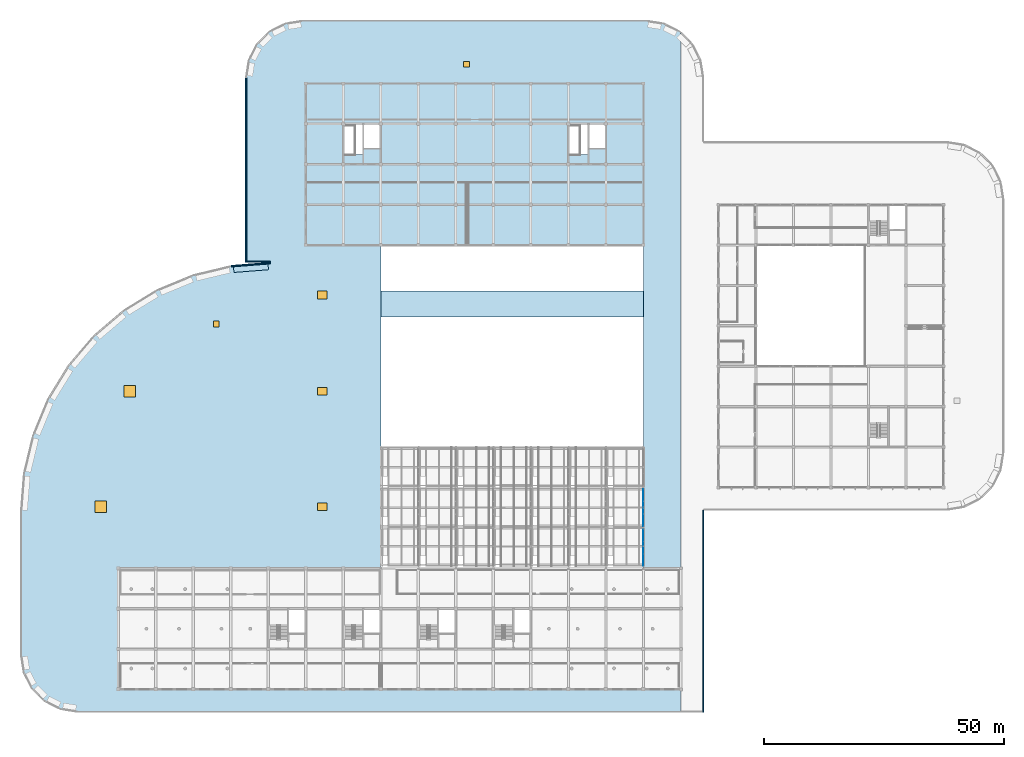
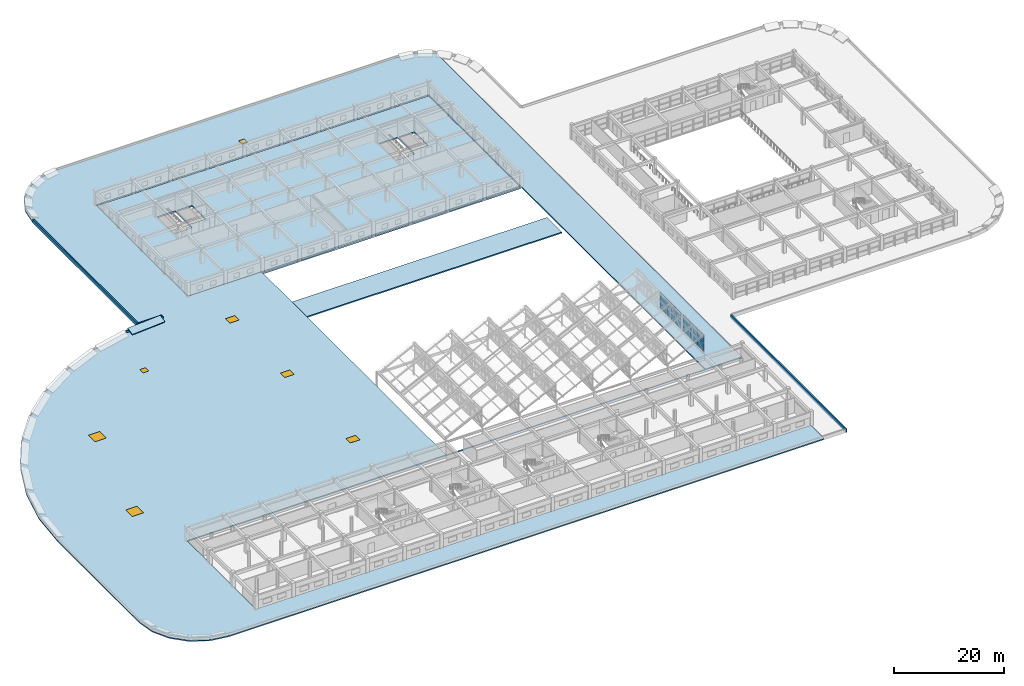
# One storey, part 78 of 101: 16 plates, 7 windows, 4 slabs, 7 openings, 2 elements without a shape of their own.
"""IFC4 building model written with IfcOpenShell, lengths in metres."""

import ifcopenshell
import ifcopenshell.guid

model = None  # the IFC model being written
_history = None  # IfcOwnerHistory: only IFC2X3 demands one
_inside = {}  # id of a spatial element -> (the spatial element, [elements in it])
_under = {}  # id of a project, library or spatial element -> (it, [spatial elements below it])
_declared = {}  # id of a project -> (the project, [libraries it declares])
_typed = {}  # id of a type object -> (the type object, [elements of that type])
_made_of = {}  # id of a material, layer set ... -> (it, [elements and type objects made of it])


def new_model(schema):
    """Start an empty IFC model of exactly this schema.

    Asked for "IFC4X3", IfcOpenShell would pick the latest addendum, in which some entities
    have other attributes; the version numbers below select the first issue.
    IFC2X3 requires an IfcOwnerHistory on every rooted entity: one is made here for all.
    """
    global model, _history
    if schema == "IFC4X3":
        model = ifcopenshell.file(schema_version=(4, 3, 0, 0))
    else:
        model = ifcopenshell.file(schema=schema)
    _inside.clear()
    _under.clear()
    _declared.clear()
    _typed.clear()
    _made_of.clear()
    _history = None
    if model.schema == "IFC2X3":
        org = make("IfcOrganization", Name="unknown")
        user = make(
            "IfcPersonAndOrganization",
            ThePerson=make("IfcPerson", FamilyName="unknown"),
            TheOrganization=org,
        )
        app = make(
            "IfcApplication",
            ApplicationDeveloper=org,
            Version="unknown",
            ApplicationFullName="unknown",
            ApplicationIdentifier="unknown",
        )
        _history = make(
            "IfcOwnerHistory",
            OwningUser=user,
            OwningApplication=app,
            ChangeAction="ADDED",
            CreationDate=0,
        )
    return model


def make(cls, **values):
    """One entity of the class cls with the attributes given. An attribute that is None is left unset."""
    return model.create_entity(
        cls, **{name: value for name, value in values.items() if value is not None}
    )


def rooted(cls, **values):
    """An entity with a GlobalId (a new one), such as an element, a storey or a relation."""
    return make(cls, GlobalId=ifcopenshell.guid.new(), OwnerHistory=_history, **values)


def si_unit(unit_type, name, prefix=None):
    """IfcSIUnit, for example si_unit("LENGTHUNIT", "METRE", prefix="MILLI")."""
    return make("IfcSIUnit", UnitType=unit_type, Prefix=prefix, Name=name)


def assignment(units):
    """IfcUnitAssignment: the units of a project."""
    return None if units is None else make("IfcUnitAssignment", Units=units)


def point(xyz):
    """IfcCartesianPoint."""
    return None if xyz is None else make("IfcCartesianPoint", Coordinates=xyz)


def direction(xyz):
    """IfcDirection."""
    return None if xyz is None else make("IfcDirection", DirectionRatios=xyz)


def frame(location, z_axis=None, x_axis=None):
    """IfcAxis2Placement3D, a coordinate frame: its origin and axes. An axis left out is left unset."""
    return make(
        "IfcAxis2Placement3D",
        Location=point(location),
        Axis=direction(z_axis),
        RefDirection=direction(x_axis),
    )


def frame_2d(location, x_axis=None):
    """IfcAxis2Placement2D, a coordinate frame in the plane: its origin and x axis."""
    return make(
        "IfcAxis2Placement2D", Location=point(location), RefDirection=direction(x_axis)
    )


def origin():
    """The frame at (0, 0, 0) with its axes left unset."""
    return frame((0.0, 0.0, 0.0))


def origin_2d():
    """The frame at (0, 0) in the plane with its x axis left unset."""
    return frame_2d((0.0, 0.0))


def place(relative_to, where):
    """IfcLocalPlacement: puts the frame where relative to a parent placement (None: the world)."""
    return make(
        "IfcLocalPlacement", PlacementRelTo=relative_to, RelativePlacement=where
    )


def context(
    kind, dimensions, precision=None, world=None, true_north=None, identifier=None
):
    """IfcGeometricRepresentationContext, for example the 3D "Model" context."""
    return make(
        "IfcGeometricRepresentationContext",
        ContextIdentifier=identifier,
        ContextType=kind,
        CoordinateSpaceDimension=dimensions,
        Precision=precision,
        WorldCoordinateSystem=world,
        TrueNorth=true_north,
    )


def subcontext(parent, identifier, kind, view, scale=None):
    """IfcGeometricRepresentationSubContext, for example "Body" below "Model"."""
    return make(
        "IfcGeometricRepresentationSubContext",
        ContextIdentifier=identifier,
        ContextType=kind,
        ParentContext=parent,
        TargetScale=scale,
        TargetView=view,
    )


def project(units=None, contexts=None):
    """IfcProject with its units and contexts."""
    return rooted(
        "IfcProject",
        Name="project",
        RepresentationContexts=contexts,
        UnitsInContext=assignment(units),
    )


def spatial(cls, under=None, at=None, **own):
    """A site, building, storey or space (cls), placed at a placement, below another one or the project."""
    s = rooted(cls, ObjectPlacement=at, **own)
    if under is not None:
        _under.setdefault(under.id(), (under, []))[1].append(s)
    return s


def polyline(points):
    """IfcPolyline through the points."""
    return make("IfcPolyline", Points=[point(p) for p in points])


def profile(cls, at=None, kind="AREA", **sizes):
    """A parametric profile (cls). Its sizes go by their IFC names, for example OverallWidth=200.0."""
    return make(cls, ProfileType=kind, Position=at, **sizes)


def rectangle(**sizes):
    """IfcRectangleProfileDef."""
    return profile("IfcRectangleProfileDef", **sizes)


def outline(outer, holes=None, kind="AREA"):
    """IfcArbitraryClosedProfileDef: a profile drawn as a closed curve; with holes, ...WithVoids."""
    if holes is None:
        return make("IfcArbitraryClosedProfileDef", ProfileType=kind, OuterCurve=outer)
    return make(
        "IfcArbitraryProfileDefWithVoids",
        ProfileType=kind,
        OuterCurve=outer,
        InnerCurves=holes,
    )


def extrude(swept, where, along, depth):
    """IfcExtrudedAreaSolid: the profile swept, set in the frame where, extruded along a direction by depth."""
    return make(
        "IfcExtrudedAreaSolid",
        SweptArea=swept,
        Position=where,
        ExtrudedDirection=direction(along),
        Depth=depth,
    )


def shape(context_of_items, identifier, shape_type, items):
    """IfcShapeRepresentation: the items that make up one representation, for example the "Body"."""
    return make(
        "IfcShapeRepresentation",
        ContextOfItems=context_of_items,
        RepresentationIdentifier=identifier,
        RepresentationType=shape_type,
        Items=items,
    )


def material(Name=None, Category=None):
    """IfcMaterial."""
    return make("IfcMaterial", Name=Name, Category=Category)


def layer(
    of_material, thickness, ventilated=None, Name=None, Category=None, Priority=None
):
    """IfcMaterialLayer: one layer of a wall or slab, of a material (None: an air gap)."""
    return make(
        "IfcMaterialLayer",
        Material=of_material,
        LayerThickness=thickness,
        IsVentilated=ventilated,
        Name=Name,
        Category=Category,
        Priority=Priority,
    )


def layer_set(layers, Name=None):
    """IfcMaterialLayerSet."""
    return make("IfcMaterialLayerSet", MaterialLayers=layers, LayerSetName=Name)


def made_of(thing, what):
    """Note that an element or type object is made of a material, layer set ...; save() writes the relation."""
    if what is not None:
        _made_of.setdefault(what.id(), (what, []))[1].append(thing)
    return thing


def type_object(cls, material=None, **own):
    """A type object (cls), such as IfcWallType, which elements share."""
    return made_of(rooted(cls, **own), material)


def element(
    cls,
    number,
    at=None,
    inside=None,
    cuts=None,
    type_object=None,
    material=None,
    context=None,
    identifier="Body",
    shape_type=None,
    held_by="IfcProductDefinitionShape",
    body=None,
    shapes=None,
    **own,
):
    """One element of the class cls, such as IfcWall. Its Tag is "e" and its number.

    at: its placement. inside: the storey or other place that contains it. cuts: it is an
    opening in that element (IfcRelVoidsElement). A single representation is given by context,
    identifier, shape_type and body (its items); several are given by shapes. held_by: the class
    of the entity that holds the representations. save() writes the other relations.
    """
    e = rooted(cls, Tag="e%d" % number, ObjectPlacement=at, **own)
    if body is not None:
        shapes = [shape(context, identifier, shape_type, body)]
    if shapes is not None:
        e.Representation = make(held_by, Representations=shapes)
    if inside is not None:
        _inside.setdefault(inside.id(), (inside, []))[1].append(e)
    if cuts is not None:
        rooted(
            "IfcRelVoidsElement", RelatingBuildingElement=cuts, RelatedOpeningElement=e
        )
    if type_object is not None:
        _typed.setdefault(type_object.id(), (type_object, []))[1].append(e)
    return made_of(e, material)


def fill(opening, filler):
    """IfcRelFillsElement: the door or window that sits in an opening."""
    return rooted(
        "IfcRelFillsElement",
        RelatingOpeningElement=opening,
        RelatedBuildingElement=filler,
    )


def aggregate(whole, parts):
    """IfcRelAggregates: a whole, such as a stair, and the parts it consists of."""
    return rooted("IfcRelAggregates", RelatingObject=whole, RelatedObjects=parts)


def save(model, path):
    """Write the relations noted so far, then the file.

    IfcRelAggregates (storeys below a building ...), IfcRelContainedInSpatialStructure (elements
    in a storey), IfcRelDefinesByType, IfcRelAssociatesMaterial and IfcRelDeclares: one each for
    every whole, place, type object, material and project.
    """
    for whole, parts in _under.values():
        aggregate(whole, parts)
    for where, things in _inside.values():
        rooted(
            "IfcRelContainedInSpatialStructure",
            RelatedElements=things,
            RelatingStructure=where,
        )
    for kind, things in _typed.values():
        rooted("IfcRelDefinesByType", RelatedObjects=things, RelatingType=kind)
    for what, things in _made_of.values():
        rooted("IfcRelAssociatesMaterial", RelatedObjects=things, RelatingMaterial=what)
    for by, libraries in _declared.values():
        rooted("IfcRelDeclares", RelatingContext=by, RelatedDefinitions=libraries)
    model.write(path)


model = new_model("IFC4")

# Units and contexts
model_context = context("Model", 3, precision=1e-05, world=origin(), true_north=direction((0.0, 1.0)))
body_context = subcontext(model_context, "Body", "Model", "MODEL_VIEW")
ifc_project = project(units=[si_unit("LENGTHUNIT", "METRE"), si_unit("AREAUNIT", "SQUARE_METRE"), si_unit("VOLUMEUNIT", "CUBIC_METRE"), si_unit("PLANEANGLEUNIT", "RADIAN"), si_unit("MASSUNIT", "GRAM", prefix="KILO")], contexts=[model_context])

# Site, building, storey
site_placement = place(None, origin())
site = spatial("IfcSite", under=ifc_project, at=site_placement, CompositionType="ELEMENT")
building_placement = place(site_placement, origin())
building = spatial("IfcBuilding", under=site, at=building_placement, Name="Zizhar Promenade General Hospital", CompositionType="ELEMENT")
storey_placement = place(building_placement, frame((0.0, 0.0, 14.39990234375)))
storey = spatial("IfcBuildingStorey", under=building, at=storey_placement, Name="L03", CompositionType="ELEMENT", Elevation=14.39990234375)

# Curtain wall, plates
ifc_material_1 = material(Name="Anodised aluminium 6063-T6 and low-E glass", Category="aluminium")
ifc_layer_1 = layer(ifc_material_1, 0.159912109375)
ifc_layer_set_1 = layer_set([ifc_layer_1], Name="Anodised aluminium 6063-T6 and low-E glass")
curtain_wall_type_1 = type_object("IfcCurtainWallType", Name="CW-SAW-NL1", PredefinedType="NOTDEFINED", material=ifc_layer_set_1)
curtain_wall_1_placement = place(storey_placement, origin())
curtain_wall_1 = element("IfcCurtainWall", 1, at=curtain_wall_1_placement, inside=storey, type_object=curtain_wall_type_1, Name="Sawtooth Clerestory Light B7-S1", PredefinedType="NOTDEFINED")
ifc_material_2 = material(Name="Low-E solar-control glass", Category="glass")
ifc_layer_2 = layer(ifc_material_2, 0.028076171875)
ifc_layer_set_2 = layer_set([ifc_layer_2], Name="Low-E solar-control glass")
plate_type_1 = type_object("IfcPlateType", Name="CWP-GLZ-28", PredefinedType="CURTAIN_PANEL", material=ifc_layer_set_2)
plate_1_placement = place(storey_placement, frame((124.800048828125, 26.8984375, 3.91015625), z_axis=(0.0, 0.0, 1.0), x_axis=(0.0, 1.0, 0.0)))
plate_1 = element("IfcPlate", 2, at=plate_1_placement, type_object=plate_type_1, Name="CW-03 panel 1.1", PredefinedType="CURTAIN_PANEL", context=body_context, shape_type="SweptSolid", body=[
    extrude(rectangle(XDim=2.4765625, YDim=0.028076171875, at=origin_2d()), origin(), (0.0, 0.0, 1.0), 1.760009765625),
])
plate_2_placement = place(storey_placement, frame((124.800048828125, 26.8984375, 5.72998046875), z_axis=(0.0, 0.0, 1.0), x_axis=(0.0, 1.0, 0.0)))
plate_2 = element("IfcPlate", 3, at=plate_2_placement, type_object=plate_type_1, Name="CW-03 panel 1.2", PredefinedType="CURTAIN_PANEL", context=body_context, shape_type="SweptSolid", body=[
    extrude(rectangle(XDim=2.4765625, YDim=0.028076171875, at=origin_2d()), origin(), (0.0, 0.0, 1.0), 1.760009765625),
])
plate_3_placement = place(storey_placement, frame((124.800048828125, 29.449951171875, 3.91015625), z_axis=(0.0, 0.0, 1.0), x_axis=(0.0, 1.0, 0.0)))
plate_3 = element("IfcPlate", 4, at=plate_3_placement, type_object=plate_type_1, Name="CW-03 panel 2.1", PredefinedType="CURTAIN_PANEL", context=body_context, shape_type="SweptSolid", body=[
    extrude(rectangle(XDim=2.506591796875, YDim=0.028076171875, at=origin_2d()), origin(), (0.0, 0.0, 1.0), 1.760009765625),
])
plate_4_placement = place(storey_placement, frame((124.800048828125, 29.449951171875, 5.72998046875), z_axis=(0.0, 0.0, 1.0), x_axis=(0.0, 1.0, 0.0)))
plate_4 = element("IfcPlate", 5, at=plate_4_placement, type_object=plate_type_1, Name="CW-03 panel 2.2", PredefinedType="CURTAIN_PANEL", context=body_context, shape_type="SweptSolid", body=[
    extrude(rectangle(XDim=2.506591796875, YDim=0.028076171875, at=origin_2d()), origin(), (0.0, 0.0, 1.0), 1.760009765625),
])
plate_5_placement = place(storey_placement, frame((124.800048828125, 32.001708984375, 3.91015625), z_axis=(0.0, 0.0, 1.0), x_axis=(0.0, 1.0, 0.0)))
plate_5 = element("IfcPlate", 6, at=plate_5_placement, type_object=plate_type_1, Name="CW-03 panel 3.1", PredefinedType="CURTAIN_PANEL", context=body_context, shape_type="SweptSolid", body=[
    extrude(rectangle(XDim=2.4765625, YDim=0.028076171875, at=origin_2d()), origin(), (0.0, 0.0, 1.0), 1.760009765625),
])
plate_6_placement = place(storey_placement, frame((124.800048828125, 32.001708984375, 5.72998046875), z_axis=(0.0, 0.0, 1.0), x_axis=(0.0, 1.0, 0.0)))
plate_6 = element("IfcPlate", 7, at=plate_6_placement, type_object=plate_type_1, Name="CW-03 panel 3.2", PredefinedType="CURTAIN_PANEL", context=body_context, shape_type="SweptSolid", body=[
    extrude(rectangle(XDim=2.4765625, YDim=0.028076171875, at=origin_2d()), origin(), (0.0, 0.0, 1.0), 1.760009765625),
])
aggregate(curtain_wall_1, [plate_1, plate_2, plate_3, plate_4, plate_5, plate_6])

ifc_material_3 = material(Name="Anodised aluminium 6063-T6 and low-E glass", Category="aluminium")
ifc_layer_3 = layer(ifc_material_3, 0.159912109375)
ifc_layer_set_3 = layer_set([ifc_layer_3], Name="Anodised aluminium 6063-T6 and low-E glass")
curtain_wall_type_2 = type_object("IfcCurtainWallType", Name="CW-SAW-NL2", PredefinedType="NOTDEFINED", material=ifc_layer_set_3)
curtain_wall_2_placement = place(storey_placement, origin())
curtain_wall_2 = element("IfcCurtainWall", 8, at=curtain_wall_2_placement, inside=storey, type_object=curtain_wall_type_2, Name="Sawtooth Clerestory Light B7-S2", PredefinedType="NOTDEFINED")
plate_7_placement = place(storey_placement, frame((124.800048828125, 35.215087890625, 3.91015625), z_axis=(0.0, 0.0, 1.0), x_axis=(0.0, 1.0, 0.0)))
plate_7 = element("IfcPlate", 9, at=plate_7_placement, type_object=plate_type_1, Name="CW-04 panel 1.1", PredefinedType="CURTAIN_PANEL", context=body_context, shape_type="SweptSolid", body=[
    extrude(rectangle(XDim=2.510009765625, YDim=0.028076171875, at=origin_2d()), origin(), (0.0, 0.0, 1.0), 1.760009765625),
])
plate_8_placement = place(storey_placement, frame((124.800048828125, 35.215087890625, 5.72998046875), z_axis=(0.0, 0.0, 1.0), x_axis=(0.0, 1.0, 0.0)))
plate_8 = element("IfcPlate", 10, at=plate_8_placement, type_object=plate_type_1, Name="CW-04 panel 1.2", PredefinedType="CURTAIN_PANEL", context=body_context, shape_type="SweptSolid", body=[
    extrude(rectangle(XDim=2.510009765625, YDim=0.028076171875, at=origin_2d()), origin(), (0.0, 0.0, 1.0), 1.760009765625),
])
plate_9_placement = place(storey_placement, frame((124.800048828125, 37.800048828125, 3.91015625), z_axis=(0.0, 0.0, 1.0), x_axis=(0.0, 1.0, 0.0)))
plate_9 = element("IfcPlate", 11, at=plate_9_placement, type_object=plate_type_1, Name="CW-04 panel 2.1", PredefinedType="CURTAIN_PANEL", context=body_context, shape_type="SweptSolid", body=[
    extrude(rectangle(XDim=2.5400390625, YDim=0.028076171875, at=origin_2d()), origin(), (0.0, 0.0, 1.0), 1.760009765625),
])
plate_10_placement = place(storey_placement, frame((124.800048828125, 37.800048828125, 5.72998046875), z_axis=(0.0, 0.0, 1.0), x_axis=(0.0, 1.0, 0.0)))
plate_10 = element("IfcPlate", 12, at=plate_10_placement, type_object=plate_type_1, Name="CW-04 panel 2.2", PredefinedType="CURTAIN_PANEL", context=body_context, shape_type="SweptSolid", body=[
    extrude(rectangle(XDim=2.5400390625, YDim=0.028076171875, at=origin_2d()), origin(), (0.0, 0.0, 1.0), 1.760009765625),
])
plate_11_placement = place(storey_placement, frame((124.800048828125, 40.385009765625, 3.91015625), z_axis=(0.0, 0.0, 1.0), x_axis=(0.0, 1.0, 0.0)))
plate_11 = element("IfcPlate", 13, at=plate_11_placement, type_object=plate_type_1, Name="CW-04 panel 3.1", PredefinedType="CURTAIN_PANEL", context=body_context, shape_type="SweptSolid", body=[
    extrude(rectangle(XDim=2.510009765625, YDim=0.028076171875, at=origin_2d()), origin(), (0.0, 0.0, 1.0), 1.760009765625),
])
plate_12_placement = place(storey_placement, frame((124.800048828125, 40.385009765625, 5.72998046875), z_axis=(0.0, 0.0, 1.0), x_axis=(0.0, 1.0, 0.0)))
plate_12 = element("IfcPlate", 14, at=plate_12_placement, type_object=plate_type_1, Name="CW-04 panel 3.2", PredefinedType="CURTAIN_PANEL", context=body_context, shape_type="SweptSolid", body=[
    extrude(rectangle(XDim=2.510009765625, YDim=0.028076171875, at=origin_2d()), origin(), (0.0, 0.0, 1.0), 1.760009765625),
])
aggregate(curtain_wall_2, [plate_7, plate_8, plate_9, plate_10, plate_11, plate_12])

# Plates
ifc_material_4 = material(Name="Precast concrete C40/50", Category="concrete")
ifc_layer_4 = layer(ifc_material_4, 0.260009765625)
ifc_layer_set_4 = layer_set([ifc_layer_4], Name="Precast concrete C40/50")
plate_type_2 = type_object("IfcPlateType", Name="PL-PC-BAND950", PredefinedType="USERDEFINED", material=ifc_layer_set_4)
plate_13_placement = place(storey_placement, frame((0.0, 0.0, -0.0498046875)))
element("IfcPlate", 15, at=plate_13_placement, inside=storey, type_object=plate_type_2, Name="Three-Arm Base Roof Upturned Edge Fascia 07", ObjectType="FASCIA_BAND", PredefinedType="USERDEFINED", context=body_context, shape_type="SweptSolid", body=[
    extrude(outline(polyline([(137.39990234375, -4.800048828125), (137.39990234375, 37.199951171875), (137.1201171875, 37.199951171875), (137.1201171875, -4.800048828125), (137.39990234375, -4.800048828125)])), origin(), (0.0, 0.0, 1.0), 0.7998046875),
])
plate_14_placement = place(storey_placement, frame((0.0, 0.0, -0.0498046875)))
element("IfcPlate", 16, at=plate_14_placement, inside=storey, type_object=plate_type_2, Name="Three-Arm Base Roof Upturned Edge Fascia 33", ObjectType="FASCIA_BAND", PredefinedType="USERDEFINED", context=body_context, shape_type="SweptSolid", body=[
    extrude(outline(polyline([(42.0, 127.199951171875), (42.0, 88.800048828125), (42.280029296875, 88.800048828125), (42.280029296875, 127.199951171875), (42.0, 127.199951171875)])), origin(), (0.0, 0.0, 1.0), 0.7998046875),
])
plate_15_placement = place(storey_placement, frame((0.0, 0.0, -0.0498046875)))
element("IfcPlate", 17, at=plate_15_placement, inside=storey, type_object=plate_type_2, Name="Three-Arm Base Roof Upturned Edge Fascia 34", ObjectType="FASCIA_BAND", PredefinedType="USERDEFINED", context=body_context, shape_type="SweptSolid", body=[
    extrude(outline(polyline([(42.0, 88.800048828125), (47.199951171875, 88.800048828125), (47.199951171875, 89.080078125), (42.0, 89.080078125), (42.0, 88.800048828125)])), origin(), (0.0, 0.0, 1.0), 0.7998046875),
])
plate_16_placement = place(storey_placement, frame((0.0, 0.0, -0.0498046875)))
element("IfcPlate", 18, at=plate_16_placement, inside=storey, type_object=plate_type_2, Name="Three-Arm Base Roof Upturned Edge Fascia 35", ObjectType="FASCIA_BAND", PredefinedType="USERDEFINED", context=body_context, shape_type="SweptSolid", body=[
    extrude(outline(polyline([(47.199951171875, 88.800048828125), (39.0654296875, 88.159912109375), (39.08740234375, 87.880615234375), (47.221923828125, 88.52099609375), (47.199951171875, 88.800048828125)])), origin(), (0.0, 0.0, 1.0), 0.7998046875),
])

# Slabs
ifc_material_5 = material(Name="Concrete C35/45", Category="concrete")
ifc_layer_5 = layer(ifc_material_5, 0.320068359375)
ifc_layer_set_5 = layer_set([ifc_layer_5], Name="Concrete C35/45")
slab_type_1 = type_object("IfcSlabType", Name="SLB-FLR-320", PredefinedType="FLOOR", material=ifc_layer_set_5)
slab_1_placement = place(storey_placement, frame((0.0, 0.0, -0.31982421875)))
element("IfcSlab", 19, at=slab_1_placement, inside=storey, type_object=slab_type_1, Name="Level L03 Surgical Interstitial Floor Slab", PredefinedType="FLOOR", context=body_context, shape_type="SweptSolid", body=[
    extrude(outline(polyline([(54.60009765625, 92.39990234375), (124.800048828125, 92.39990234375), (124.800048828125, 126.0), (54.60009765625, 126.0), (54.60009765625, 92.39990234375)]), holes=[polyline([(62.580078125, 111.22998046875), (62.580078125, 117.419921875), (66.47998046875, 117.419921875), (66.47998046875, 111.22998046875), (62.580078125, 111.22998046875)]), polyline([(66.75, 112.419921875), (66.75, 117.3798828125), (69.97998046875, 117.3798828125), (69.97998046875, 112.419921875), (66.75, 112.419921875)]), polyline([(109.3798828125, 111.22998046875), (109.3798828125, 117.419921875), (113.280029296875, 117.419921875), (113.280029296875, 111.22998046875), (109.3798828125, 111.22998046875)]), polyline([(113.550048828125, 112.419921875), (113.550048828125, 117.3798828125), (116.780029296875, 117.3798828125), (116.780029296875, 112.419921875), (113.550048828125, 112.419921875)])]), origin(), (0.0, 0.0, 1.0), 0.31982421875),
])
ifc_material_6 = material(Name="Concrete C35/45", Category="concrete")
ifc_layer_6 = layer(ifc_material_6, 0.260009765625)
ifc_layer_set_6 = layer_set([ifc_layer_6], Name="Concrete C35/45")
slab_type_2 = type_object("IfcSlabType", Name="SLB-ROOF-260", PredefinedType="ROOF", material=ifc_layer_set_6)
slab_2_placement = place(storey_placement, frame((0.0, 0.0, -1.159912109375)))
element("IfcSlab", 20, at=slab_2_placement, inside=storey, type_object=slab_type_2, Name="Courtyard Surgical-Clinic Skybridge Level L02 Roof Slab", PredefinedType="ROOF", context=body_context, shape_type="SweptSolid", body=[
    extrude(outline(polyline([(70.199951171875, 77.39990234375), (124.800048828125, 77.39990234375), (124.800048828125, 82.800048828125), (70.199951171875, 82.800048828125), (70.199951171875, 77.39990234375)])), origin(), (0.0, 0.0, 1.0), 0.260009765625),
])

# Slab, openings, windows
slab_3_placement = place(storey_placement, origin())
slab_3 = element("IfcSlab", 21, at=slab_3_placement, inside=storey, type_object=slab_type_2, Name="West and North Arms Overhanging Rounded Roof Plate", PredefinedType="ROOF", context=body_context, shape_type="SweptSolid", body=[
    extrude(outline(polyline([(7.199951171875, -4.800048828125), (3.491943359375, -4.212890625), (0.14697265625, -2.508056640625), (-2.508056640625, 0.14697265625), (-4.212890625, 3.491943359375), (-4.800048828125, 7.199951171875), (-4.800048828125, 36.800048828125), (-4.159912109375, 44.93505859375), (-2.2548828125, 52.868896484375), (0.867919921875, 60.406982421875), (5.131103515625, 67.364990234375), (10.429931640625, 73.570068359375), (16.635009765625, 78.868896484375), (23.593017578125, 83.132080078125), (31.131103515625, 86.2548828125), (39.06494140625, 88.159912109375), (47.199951171875, 88.800048828125), (42.0, 88.800048828125), (42.0, 127.199951171875), (42.5869140625, 130.907958984375), (44.2919921875, 134.2529296875), (46.947021484375, 136.907958984375), (50.2919921875, 138.613037109375), (54.0, 139.199951171875), (125.39990234375, 139.199951171875), (129.10791015625, 138.613037109375), (132.452880859375, 136.907958984375), (132.550048828125, 136.81201171875), (132.550048828125, 25.14990234375), (15.64990234375, 25.14990234375), (15.64990234375, 0.050048828125), (132.550048828125, 0.050048828125), (132.550048828125, -4.800048828125), (7.199951171875, -4.800048828125)]), holes=[polyline([(124.800048828125, 25.199951171875), (124.800048828125, 92.39990234375), (70.199951171875, 92.39990234375), (70.199951171875, 25.199951171875), (124.800048828125, 25.199951171875)]), polyline([(124.75, 92.449951171875), (124.75, 125.949951171875), (54.64990234375, 125.949951171875), (54.64990234375, 92.449951171875), (124.75, 92.449951171875)])]), origin(), (0.0, 0.0, 1.0), 0.260009765625),
])
opening_1_placement = place(slab_3_placement, frame((12.0, 38.0, 0.0)))
opening_1 = element("IfcOpeningElement", 22, at=opening_1_placement, cuts=slab_3, Name="Opening SK-01", PredefinedType="OPENING", context=body_context, shape_type="SweptSolid", body=[
    extrude(rectangle(XDim=2.39990234375, YDim=2.39990234375, at=origin_2d()), origin(), (0.0, 0.0, 1.0), 0.260009765625),
])
opening_2_placement = place(slab_3_placement, frame((18.0, 62.0, 0.0)))
opening_2 = element("IfcOpeningElement", 23, at=opening_2_placement, cuts=slab_3, Name="Opening SK-01", PredefinedType="OPENING", context=body_context, shape_type="SweptSolid", body=[
    extrude(rectangle(XDim=2.39990234375, YDim=2.39990234375, at=origin_2d()), origin(), (0.0, 0.0, 1.0), 0.260009765625),
])
opening_3_placement = place(slab_3_placement, frame((36.0, 76.0, 0.0)))
opening_3 = element("IfcOpeningElement", 24, at=opening_3_placement, cuts=slab_3, Name="Opening SK-03", PredefinedType="OPENING", context=body_context, shape_type="SweptSolid", body=[
    extrude(rectangle(XDim=1.199951171875, YDim=1.199951171875, at=origin_2d()), origin(), (0.0, 0.0, 1.0), 0.260009765625),
])
opening_4_placement = place(slab_3_placement, frame((58.0, 38.0, 0.0)))
opening_4 = element("IfcOpeningElement", 25, at=opening_4_placement, cuts=slab_3, Name="Opening SK-02", PredefinedType="OPENING", context=body_context, shape_type="SweptSolid", body=[
    extrude(rectangle(XDim=2.0, YDim=1.60009765625, at=origin_2d()), origin(), (0.0, 0.0, 1.0), 0.260009765625),
])
opening_5_placement = place(slab_3_placement, frame((58.0, 62.0, 0.0)))
opening_5 = element("IfcOpeningElement", 26, at=opening_5_placement, cuts=slab_3, Name="Opening SK-02", PredefinedType="OPENING", context=body_context, shape_type="SweptSolid", body=[
    extrude(rectangle(XDim=2.0, YDim=1.60009765625, at=origin_2d()), origin(), (0.0, 0.0, 1.0), 0.260009765625),
])
opening_6_placement = place(slab_3_placement, frame((58.0, 82.0, 0.0)))
opening_6 = element("IfcOpeningElement", 27, at=opening_6_placement, cuts=slab_3, Name="Opening SK-02", PredefinedType="OPENING", context=body_context, shape_type="SweptSolid", body=[
    extrude(rectangle(XDim=2.0, YDim=1.60009765625, at=origin_2d()), origin(), (0.0, 0.0, 1.0), 0.260009765625),
])
opening_7_placement = place(slab_3_placement, frame((88.0, 130.0, 0.0)))
opening_7 = element("IfcOpeningElement", 28, at=opening_7_placement, cuts=slab_3, Name="Opening SK-03", PredefinedType="OPENING", context=body_context, shape_type="SweptSolid", body=[
    extrude(rectangle(XDim=1.199951171875, YDim=1.199951171875, at=origin_2d()), origin(), (0.0, 0.0, 1.0), 0.260009765625),
])
ifc_material_7 = material(Name="Anodised aluminium 6063-T6 and low-E glass", Category="aluminium")
window_type_1 = type_object("IfcWindowType", Name="SKY-HATCH-120x120", PartitioningType="SINGLE_PANEL", PredefinedType="SKYLIGHT", material=ifc_material_7)
window_1_placement = place(opening_3_placement, frame((0.0, 0.0, 0.2099609375)))
window_1 = element("IfcWindow", 29, at=window_1_placement, inside=storey, type_object=window_type_1, Name="Roof Smoke Vent and Access Skylight 3", OverallHeight=1.199951171875, OverallWidth=1.199951171875, PartitioningType="SINGLE_PANEL", PredefinedType="SKYLIGHT", context=body_context, shape_type="SweptSolid", body=[
    extrude(rectangle(XDim=1.199951171875, YDim=1.199951171875, at=origin_2d()), origin(), (0.0, 0.0, 1.0), 0.050048828125),
])
fill(opening_3, window_1)
window_2_placement = place(opening_7_placement, frame((0.0, 0.0, 0.2099609375)))
window_2 = element("IfcWindow", 30, at=window_2_placement, inside=storey, type_object=window_type_1, Name="Roof Smoke Vent and Access Skylight 7", OverallHeight=1.199951171875, OverallWidth=1.199951171875, PartitioningType="SINGLE_PANEL", PredefinedType="SKYLIGHT", context=body_context, shape_type="SweptSolid", body=[
    extrude(rectangle(XDim=1.199951171875, YDim=1.199951171875, at=origin_2d()), origin(), (0.0, 0.0, 1.0), 0.050048828125),
])
fill(opening_7, window_2)
ifc_material_8 = material(Name="Anodised aluminium 6063-T6 and low-E glass", Category="aluminium")
window_type_2 = type_object("IfcWindowType", Name="SKY-VENT-200x160", PartitioningType="SINGLE_PANEL", PredefinedType="SKYLIGHT", material=ifc_material_8)
window_3_placement = place(opening_4_placement, frame((0.0, 0.0, 0.2099609375)))
window_3 = element("IfcWindow", 31, at=window_3_placement, inside=storey, type_object=window_type_2, Name="Roof Smoke Vent and Access Skylight 4", OverallHeight=1.60009765625, OverallWidth=2.0, PartitioningType="SINGLE_PANEL", PredefinedType="SKYLIGHT", context=body_context, shape_type="SweptSolid", body=[
    extrude(rectangle(XDim=2.0, YDim=1.60009765625, at=origin_2d()), origin(), (0.0, 0.0, 1.0), 0.050048828125),
])
fill(opening_4, window_3)
window_4_placement = place(opening_5_placement, frame((0.0, 0.0, 0.2099609375)))
window_4 = element("IfcWindow", 32, at=window_4_placement, inside=storey, type_object=window_type_2, Name="Roof Smoke Vent and Access Skylight 5", OverallHeight=1.60009765625, OverallWidth=2.0, PartitioningType="SINGLE_PANEL", PredefinedType="SKYLIGHT", context=body_context, shape_type="SweptSolid", body=[
    extrude(rectangle(XDim=2.0, YDim=1.60009765625, at=origin_2d()), origin(), (0.0, 0.0, 1.0), 0.050048828125),
])
fill(opening_5, window_4)
window_5_placement = place(opening_6_placement, frame((0.0, 0.0, 0.2099609375)))
window_5 = element("IfcWindow", 33, at=window_5_placement, inside=storey, type_object=window_type_2, Name="Roof Smoke Vent and Access Skylight 6", OverallHeight=1.60009765625, OverallWidth=2.0, PartitioningType="SINGLE_PANEL", PredefinedType="SKYLIGHT", context=body_context, shape_type="SweptSolid", body=[
    extrude(rectangle(XDim=2.0, YDim=1.60009765625, at=origin_2d()), origin(), (0.0, 0.0, 1.0), 0.050048828125),
])
fill(opening_6, window_5)
ifc_material_9 = material(Name="Anodised aluminium 6063-T6 and low-E glass", Category="aluminium")
window_type_3 = type_object("IfcWindowType", Name="SKY-VENT-240x240", PartitioningType="SINGLE_PANEL", PredefinedType="SKYLIGHT", material=ifc_material_9)
window_6_placement = place(opening_1_placement, frame((0.0, 0.0, 0.2099609375)))
window_6 = element("IfcWindow", 34, at=window_6_placement, inside=storey, type_object=window_type_3, Name="Roof Smoke Vent and Access Skylight 1", OverallHeight=2.39990234375, OverallWidth=2.39990234375, PartitioningType="SINGLE_PANEL", PredefinedType="SKYLIGHT", context=body_context, shape_type="SweptSolid", body=[
    extrude(rectangle(XDim=2.39990234375, YDim=2.39990234375, at=origin_2d()), origin(), (0.0, 0.0, 1.0), 0.050048828125),
])
fill(opening_1, window_6)
window_7_placement = place(opening_2_placement, frame((0.0, 0.0, 0.2099609375)))
window_7 = element("IfcWindow", 35, at=window_7_placement, inside=storey, type_object=window_type_3, Name="Roof Smoke Vent and Access Skylight 2", OverallHeight=2.39990234375, OverallWidth=2.39990234375, PartitioningType="SINGLE_PANEL", PredefinedType="SKYLIGHT", context=body_context, shape_type="SweptSolid", body=[
    extrude(rectangle(XDim=2.39990234375, YDim=2.39990234375, at=origin_2d()), origin(), (0.0, 0.0, 1.0), 0.050048828125),
])
fill(opening_2, window_7)

# Slab
ifc_material_10 = material(Name="Concrete C35/45", Category="concrete")
ifc_layer_7 = layer(ifc_material_10, 0.199951171875)
ifc_layer_set_7 = layer_set([ifc_layer_7], Name="Concrete C35/45")
slab_type_3 = type_object("IfcSlabType", Name="SLB-SAW-200", PredefinedType="ROOF", material=ifc_layer_set_7)
slab_4_placement = place(storey_placement, frame((46.720947265625, 88.761962890625, 1.02001953125), z_axis=(0.027878957462, -0.354097089007, 0.934793033397), x_axis=(-0.996916089548, -0.078474902799, 5.612592e-06)))
element("IfcSlab", 36, at=slab_4_placement, inside=storey, type_object=slab_type_3, Name="Three-Arm Base Curved Upturned Rim 35", PredefinedType="ROOF", context=body_context, shape_type="SweptSolid", body=[
    extrude(outline(polyline([(0.0, 0.0), (7.199202443728571, 1.1102230246251565e-16), (7.198728766387897, 1.6043807416133682), (-0.0004928362524891973, 1.6041532244327374), (0.0, 0.0)])), origin(), (0.0, 0.0, -1.0), 0.199951171875),
])

save(model, "model.ifc")
